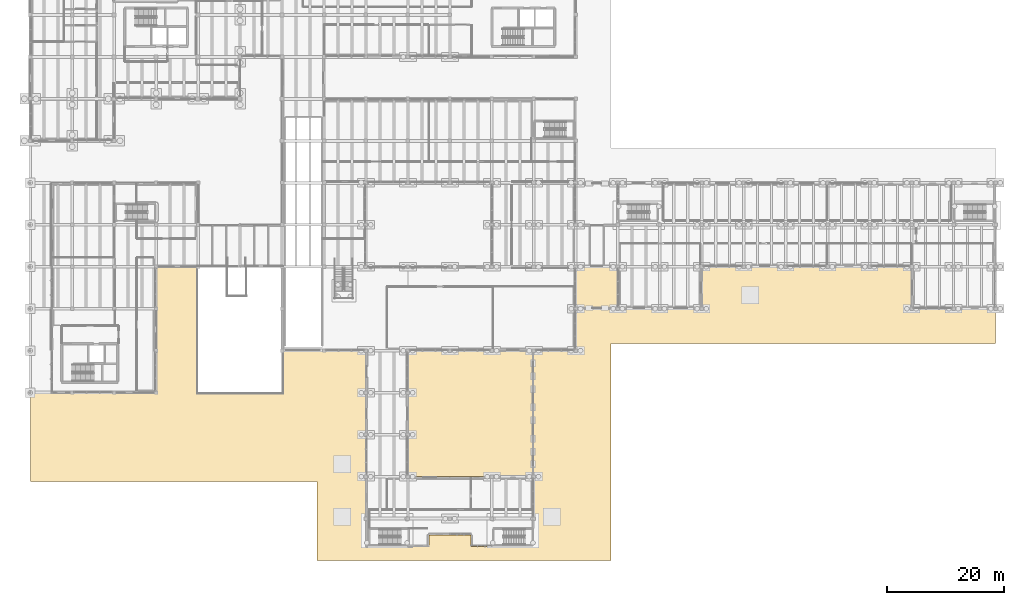
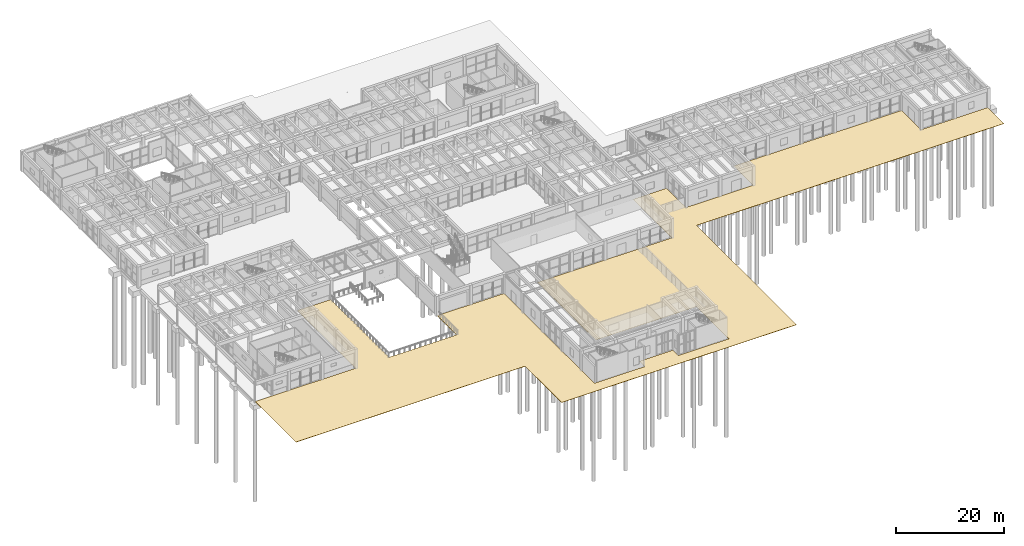
# One storey, part 138 of 155: 1 covering.
"""IFC4 building model written with IfcOpenShell, lengths in metres."""

from ifc_helpers import new_model, si_unit, direction, frame, origin, place, context, subcontext, project, spatial, polyline, outline, extrude, material, layer, layer_set, type_object, element, save


model = new_model("IFC4")

# Units and contexts
model_context = context("Model", 3, precision=1e-05, world=origin(), true_north=direction((0.0, 1.0)))
body_context = subcontext(model_context, "Body", "Model", "MODEL_VIEW")
ifc_project = project(units=[si_unit("LENGTHUNIT", "METRE"), si_unit("AREAUNIT", "SQUARE_METRE"), si_unit("VOLUMEUNIT", "CUBIC_METRE"), si_unit("PLANEANGLEUNIT", "RADIAN"), si_unit("MASSUNIT", "GRAM", prefix="KILO")], contexts=[model_context])

# Site, building, storey
site_placement = place(None, origin())
site = spatial("IfcSite", under=ifc_project, at=site_placement, CompositionType="ELEMENT")
building_placement = place(site_placement, origin())
building = spatial("IfcBuilding", under=site, at=building_placement, Name="Bramvelor Terrace Health Centre", CompositionType="ELEMENT")
storey_placement = place(building_placement, origin())
storey = spatial("IfcBuildingStorey", under=building, at=storey_placement, Name="L01", CompositionType="ELEMENT", Elevation=0.0)

# Covering
ifc_material = material(Name="Flamed granite plaza paving", Category="masonry")
ifc_layer = layer(ifc_material, 0.050048828125)
ifc_layer_set = layer_set([ifc_layer], Name="Flamed granite plaza paving")
covering_type = type_object("IfcCoveringType", Name="COV-PAV-GRAN", PredefinedType="USERDEFINED", material=ifc_layer_set)
covering_placement = place(storey_placement, frame((0.0, 0.0, -0.050048828125)))
element("IfcCovering", 1, at=covering_placement, inside=storey, type_object=covering_type, Name="Campus Granite Grade Apron 1", ObjectType="PAVING", PredefinedType="USERDEFINED", context=body_context, shape_type="SweptSolid", body=[
    extrude(outline(polyline([(3.594970703125, 28.7900390625), (3.595947265625, 28.7900390625), (3.596923828125, 28.790283203125), (3.597412109375, 28.790283203125), (3.597900390625, 28.790283203125), (3.59912109375, 28.7900390625), (3.60009765625, 28.7900390625), (21.60009765625, 28.7900390625), (21.60107421875, 28.7900390625), (21.60205078125, 28.790283203125), (21.602783203125, 28.790283203125), (21.603759765625, 28.790771484375), (21.604736328125, 28.791259765625), (21.605712890625, 28.791748046875), (21.606201171875, 28.792236328125), (21.607177734375, 28.79296875), (21.607666015625, 28.793701171875), (21.6083984375, 28.79443359375), (21.60888671875, 28.79541015625), (21.609130859375, 28.796142578125), (21.609619140625, 28.797119140625), (21.60986328125, 28.798095703125), (21.610107421875, 28.799072265625), (21.610107421875, 28.800048828125), (21.610107421875, 50.389892578125), (28.75, 50.389892578125), (28.75, 28.75), (43.25, 28.75), (43.25, 35.989990234375), (57.590087890625, 35.989990234375), (57.590087890625, 2.39990234375), (57.590087890625, 2.39892578125), (57.590087890625, 2.39794921875), (57.59033203125, 2.397216796875), (57.5908203125, 2.396240234375), (57.59130859375, 2.395263671875), (57.591796875, 2.394287109375), (57.59228515625, 2.393798828125), (57.593017578125, 2.392822265625), (57.59375, 2.392333984375), (57.594482421875, 2.3916015625), (57.59521484375, 2.39111328125), (57.59619140625, 2.390869140625), (57.59716796875, 2.390380859375), (57.597900390625, 2.39013671875), (57.59912109375, 2.389892578125), (57.60009765625, 2.389892578125), (68.39990234375, 2.389892578125), (68.40087890625, 2.389892578125), (68.402099609375, 2.39013671875), (68.40283203125, 2.390380859375), (68.40380859375, 2.390869140625), (68.40478515625, 2.39111328125), (68.405517578125, 2.3916015625), (68.40625, 2.392333984375), (68.406982421875, 2.392822265625), (68.40771484375, 2.393798828125), (68.408203125, 2.394287109375), (68.40869140625, 2.395263671875), (68.4091796875, 2.396240234375), (68.40966796875, 2.397216796875), (68.409912109375, 2.39794921875), (68.409912109375, 2.39892578125), (68.409912109375, 2.39990234375), (68.409912109375, 4.389892578125), (75.590087890625, 4.389892578125), (75.590087890625, 2.39990234375), (75.590087890625, 2.39892578125), (75.590087890625, 2.39794921875), (75.59033203125, 2.397216796875), (75.5908203125, 2.396240234375), (75.59130859375, 2.395263671875), (75.591796875, 2.394287109375), (75.59228515625, 2.393798828125), (75.593017578125, 2.392822265625), (75.59375, 2.392333984375), (75.594482421875, 2.3916015625), (75.59521484375, 2.39111328125), (75.59619140625, 2.390869140625), (75.59716796875, 2.390380859375), (75.597900390625, 2.39013671875), (75.59912109375, 2.389892578125), (75.60009765625, 2.389892578125), (86.39990234375, 2.389892578125), (86.40087890625, 2.389892578125), (86.402099609375, 2.39013671875), (86.40283203125, 2.390380859375), (86.40380859375, 2.390869140625), (86.40478515625, 2.39111328125), (86.405517578125, 2.3916015625), (86.40625, 2.392333984375), (86.406982421875, 2.392822265625), (86.40771484375, 2.393798828125), (86.408203125, 2.394287109375), (86.40869140625, 2.395263671875), (86.4091796875, 2.396240234375), (86.40966796875, 2.397216796875), (86.409912109375, 2.39794921875), (86.409912109375, 2.39892578125), (86.409912109375, 2.39990234375), (86.409912109375, 14.39990234375), (86.409912109375, 14.40087890625), (86.409912109375, 14.402099609375), (86.40966796875, 14.40283203125), (86.4091796875, 14.40380859375), (86.40869140625, 14.40478515625), (86.408203125, 14.405517578125), (86.40771484375, 14.40625), (86.406982421875, 14.406982421875), (86.40625, 14.40771484375), (86.405517578125, 14.408203125), (86.40478515625, 14.40869140625), (86.40380859375, 14.4091796875), (86.40283203125, 14.40966796875), (86.402099609375, 14.409912109375), (86.40087890625, 14.409912109375), (86.39990234375, 14.409912109375), (64.81005859375, 14.409912109375), (64.81005859375, 35.989990234375), (93.60009765625, 35.989990234375), (93.60107421875, 35.989990234375), (93.60205078125, 35.990234375), (93.602783203125, 35.990478515625), (93.603759765625, 35.99072265625), (93.604736328125, 35.9912109375), (93.605712890625, 35.99169921875), (93.606201171875, 35.9921875), (93.607177734375, 35.992919921875), (93.607666015625, 35.99365234375), (93.6083984375, 35.994384765625), (93.60888671875, 35.995361328125), (93.609130859375, 35.99609375), (93.609619140625, 35.9970703125), (93.60986328125, 35.998046875), (93.610107421875, 35.9990234375), (93.610107421875, 36.0), (93.610107421875, 50.389892578125), (100.7900390625, 50.389892578125), (100.7900390625, 43.199951171875), (100.7900390625, 43.198974609375), (100.790283203125, 43.197998046875), (100.790283203125, 43.197021484375), (100.790771484375, 43.1962890625), (100.791259765625, 43.1953125), (100.791748046875, 43.1943359375), (100.792236328125, 43.193603515625), (100.79296875, 43.19287109375), (100.793701171875, 43.1923828125), (100.79443359375, 43.191650390625), (100.79541015625, 43.191162109375), (100.796142578125, 43.19091796875), (100.797119140625, 43.1904296875), (100.798095703125, 43.190185546875), (100.799072265625, 43.18994140625), (100.800048828125, 43.18994140625), (115.199951171875, 43.18994140625), (115.200927734375, 43.18994140625), (115.201904296875, 43.190185546875), (115.202880859375, 43.1904296875), (115.203857421875, 43.19091796875), (115.20458984375, 43.191162109375), (115.20556640625, 43.191650390625), (115.206298828125, 43.1923828125), (115.20703125, 43.19287109375), (115.207763671875, 43.193603515625), (115.208251953125, 43.1943359375), (115.208740234375, 43.1953125), (115.209228515625, 43.1962890625), (115.209716796875, 43.197021484375), (115.209716796875, 43.197998046875), (115.2099609375, 43.198974609375), (115.2099609375, 43.199951171875), (115.2099609375, 50.389892578125), (151.18994140625, 50.389892578125), (151.18994140625, 43.199951171875), (151.18994140625, 43.198974609375), (151.190185546875, 43.197998046875), (151.1904296875, 43.197021484375), (151.19091796875, 43.1962890625), (151.191162109375, 43.1953125), (151.191650390625, 43.1943359375), (151.1923828125, 43.193603515625), (151.19287109375, 43.19287109375), (151.193603515625, 43.1923828125), (151.1943359375, 43.191650390625), (151.1953125, 43.191162109375), (151.1962890625, 43.19091796875), (151.197021484375, 43.1904296875), (151.197998046875, 43.190185546875), (151.198974609375, 43.18994140625), (151.199951171875, 43.18994140625), (165.550048828125, 43.18994140625), (165.550048828125, 37.199951171875), (99.60009765625, 37.199951171875), (99.60009765625, 0.050048828125), (49.199951171875, 0.050048828125), (49.199951171875, 13.60009765625), (0.050048828125, 13.60009765625), (0.050048828125, 28.7900390625), (3.594970703125, 28.7900390625)])), origin(), (0.0, 0.0, 1.0), 0.050048828125),
])

save(model, "model.ifc")
